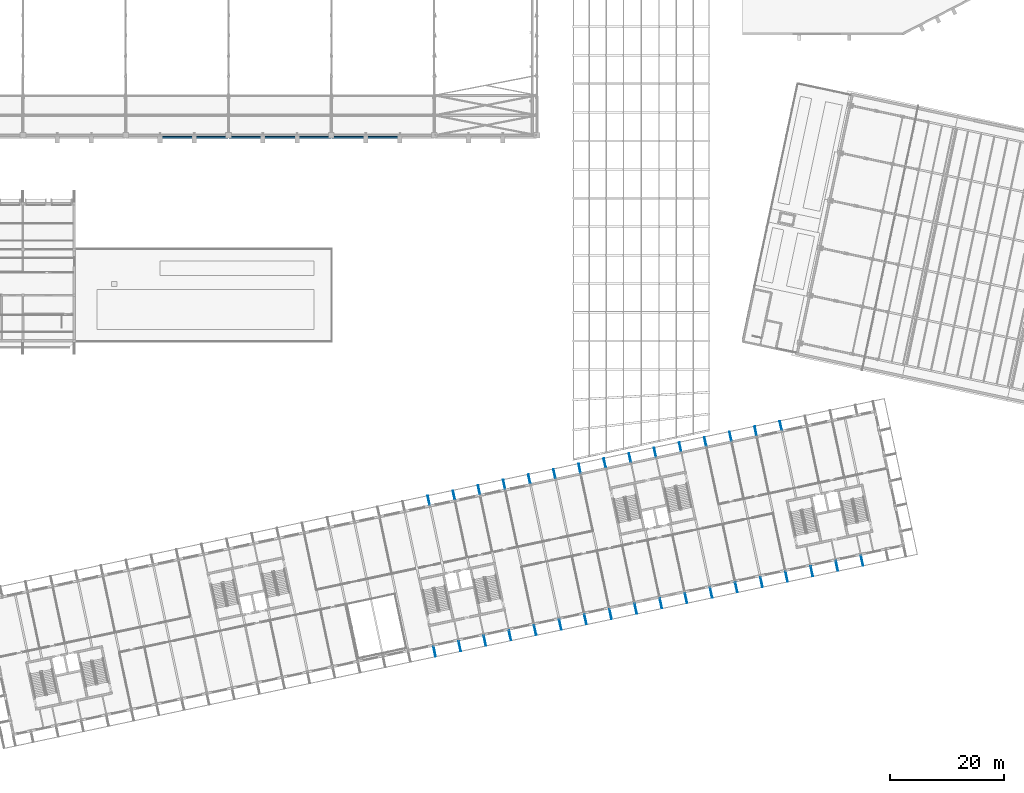
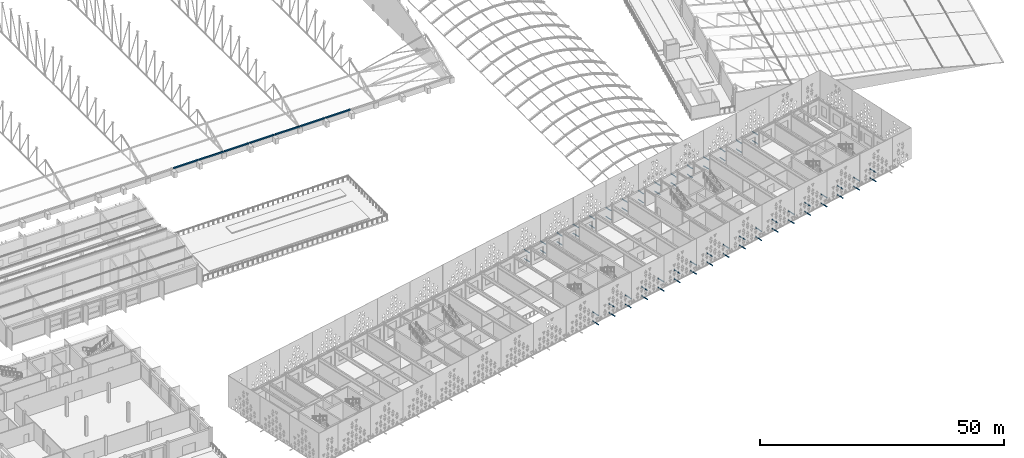
# One storey, part 135 of 196: 73 discrete accessories.
"""IFC4 building model written with IfcOpenShell, lengths in metres."""

from ifc_helpers import new_model, si_unit, direction, frame, origin, origin_2d, place, context, subcontext, project, spatial, rectangle, extrude, material, material_profile, profile_set, type_object, element, save


model = new_model("IFC4")

# Units and contexts
model_context = context("Model", 3, precision=1e-05, world=origin(), true_north=direction((0.0, 1.0)))
body_context = subcontext(model_context, "Body", "Model", "MODEL_VIEW")
ifc_project = project(units=[si_unit("LENGTHUNIT", "METRE"), si_unit("AREAUNIT", "SQUARE_METRE"), si_unit("VOLUMEUNIT", "CUBIC_METRE"), si_unit("PLANEANGLEUNIT", "RADIAN"), si_unit("MASSUNIT", "GRAM", prefix="KILO")], contexts=[model_context])

# Site, building, storey
site_placement = place(None, origin())
site = spatial("IfcSite", under=ifc_project, at=site_placement, CompositionType="ELEMENT")
building_placement = place(site_placement, origin())
building = spatial("IfcBuilding", under=site, at=building_placement, Name="Okhra Congress Centre", CompositionType="ELEMENT")
storey_placement = place(building_placement, frame((0.0, 0.0, 12.0)))
storey = spatial("IfcBuildingStorey", under=building, at=storey_placement, Name="L02", CompositionType="ELEMENT", Elevation=12.0)

# Discrete accessories
ifc_material_1 = material(Name="Stainless steel box gutter with self-regulating heating cable", Category="steel")
discrete_accessory_type_1 = type_object("IfcDiscreteAccessoryType", Name="Heated box gutter 350x300", PredefinedType="USERDEFINED", material=ifc_material_1)
for number, where, z_axis, x_axis, name in (
    (1, (91.0, 131.69189453125, 1.59228515625), (0.0, 0.0, 1.0), (1.0, 0.0, 0.0), "Heated box gutter"),
    (2, (97.0, 131.69189453125, 1.59228515625), (0.0, 0.0, 1.0), (1.0, 0.0, 0.0), "Heated box gutter"),
    (3, (103.0, 131.69189453125, 1.59228515625), (0.0, 0.0, 1.0), (1.0, 0.0, 0.0), "Heated box gutter"),
    (4, (109.0, 131.69189453125, 1.59228515625), (0.0, 0.0, 1.0), (1.0, 0.0, 0.0), "Heated box gutter"),
    (5, (115.0, 131.69189453125, 1.59228515625), (0.0, 0.0, 1.0), (1.0, 0.0, 0.0), "Heated box gutter"),
    (6, (121.0, 131.69189453125, 1.59228515625), (0.0, 0.0, 1.0), (1.0, 0.0, 0.0), "Heated box gutter"),
    (7, (127.0, 131.69189453125, 1.59228515625), (0.0, 0.0, 1.0), (1.0, 0.0, 0.0), "Heated box gutter"),
):
    element("IfcDiscreteAccessory", number, at=place(storey_placement, frame(where, z_axis=z_axis, x_axis=x_axis)), inside=storey, type_object=discrete_accessory_type_1, Name=name, ObjectType="HEATED GUTTER", PredefinedType="USERDEFINED", context=body_context, shape_type="SweptSolid", body=[
        extrude(rectangle(XDim=5.800048828125, YDim=0.35009765625, at=origin_2d()), origin(), (0.0, 0.0, 1.0), 0.300048828125),
    ])
ifc_material_2 = material(Name="Steel S355J2 outrigger, galvanised", Category="steel")
ifc_material_profile = material_profile(ifc_material_2, rectangle(XDim=0.1201171875, YDim=0.1201171875, at=origin_2d()), Name="Screen outrigger bracket 120x120")
ifc_profile_set = profile_set([ifc_material_profile], Name="Steel S355J2 outrigger, galvanised")
discrete_accessory_type_2 = type_object("IfcDiscreteAccessoryType", Name="Screen outrigger bracket 120x120", PredefinedType="BRACKET", material=ifc_profile_set)
for number, where, z_axis, x_axis, name in (
    (8, (135.885009765625, 42.499267578125, 0.81005859375), (0.207913352163, -0.978147247602, 0.0), (0.978147247602, 0.207913352163, 0.0), "Screen outrigger 281"),
    (9, (135.885009765625, 42.499267578125, 3.070068359375), (0.207913352163, -0.978147247602, 0.0), (0.978147247602, 0.207913352163, 0.0), "Screen outrigger 282"),
    (10, (140.28662109375, 43.434814453125, 0.81005859375), (0.207913352163, -0.978147247602, 0.0), (0.978147247602, 0.207913352163, 0.0), "Screen outrigger 299"),
    (11, (140.28662109375, 43.434814453125, 3.070068359375), (0.207913352163, -0.978147247602, 0.0), (0.978147247602, 0.207913352163, 0.0), "Screen outrigger 300"),
):
    element("IfcDiscreteAccessory", number, at=place(storey_placement, frame(where, z_axis=z_axis, x_axis=x_axis)), inside=storey, type_object=discrete_accessory_type_2, Name=name, PredefinedType="BRACKET", context=body_context, shape_type="SweptSolid", body=[
        extrude(rectangle(XDim=0.1201171875, YDim=0.1201171875, at=origin_2d()), origin(), (0.0, 0.0, 1.0), 1.764892578125),
    ])
for number, where, z_axis, x_axis, name in (
    (12, (135.205322265625, 67.3408203125, 0.81005859375), (-0.207952044176, 0.978139022493, 0.0), (-0.978139022493, -0.207952044176, 0.0), "Screen outrigger 308"),
    (13, (135.205322265625, 67.3408203125, 3.070068359375), (-0.207952044176, 0.978139022493, 0.0), (-0.978139022493, -0.207952044176, 0.0), "Screen outrigger 309"),
):
    element("IfcDiscreteAccessory", number, at=place(storey_placement, frame(where, z_axis=z_axis, x_axis=x_axis)), inside=storey, type_object=discrete_accessory_type_2, Name=name, PredefinedType="BRACKET", context=body_context, shape_type="SweptSolid", body=[
        extrude(rectangle(XDim=0.1201171875, YDim=0.1201171875, at=origin_2d()), origin(), (0.0, 0.0, 1.0), 1.56494140625),
    ])
for number, where, z_axis, x_axis, name in (
    (14, (144.688232421875, 44.37060546875, 0.81005859375), (0.208017553693, -0.978125092897, 0.0), (0.978125092897, 0.208017553693, 0.0), "Screen outrigger 317"),
    (15, (144.688232421875, 44.37060546875, 3.070068359375), (0.208017553693, -0.978125092897, 0.0), (0.978125092897, 0.208017553693, 0.0), "Screen outrigger 318"),
):
    element("IfcDiscreteAccessory", number, at=place(storey_placement, frame(where, z_axis=z_axis, x_axis=x_axis)), inside=storey, type_object=discrete_accessory_type_2, Name=name, PredefinedType="BRACKET", context=body_context, shape_type="SweptSolid", body=[
        extrude(rectangle(XDim=0.1201171875, YDim=0.1201171875, at=origin_2d()), origin(), (0.0, 0.0, 1.0), 1.76513671875),
    ])
for number, where, z_axis, x_axis, name in (
    (16, (139.60693359375, 68.2763671875, 0.81005859375), (-0.207952044176, 0.978139022493, 0.0), (-0.978139022493, -0.207952044176, 0.0), "Screen outrigger 327"),
    (17, (139.60693359375, 68.2763671875, 3.070068359375), (-0.207952044176, 0.978139022493, 0.0), (-0.978139022493, -0.207952044176, 0.0), "Screen outrigger 328"),
):
    element("IfcDiscreteAccessory", number, at=place(storey_placement, frame(where, z_axis=z_axis, x_axis=x_axis)), inside=storey, type_object=discrete_accessory_type_2, Name=name, PredefinedType="BRACKET", context=body_context, shape_type="SweptSolid", body=[
        extrude(rectangle(XDim=0.1201171875, YDim=0.1201171875, at=origin_2d()), origin(), (0.0, 0.0, 1.0), 1.56494140625),
    ])
for number, where, z_axis, x_axis, name in (
    (18, (149.090087890625, 45.30615234375, 0.81005859375), (0.207885223274, -0.97815322621, 0.0), (0.97815322621, 0.207885223274, 0.0), "Screen outrigger 336"),
    (19, (149.090087890625, 45.30615234375, 3.070068359375), (0.207885223274, -0.97815322621, 0.0), (0.97815322621, 0.207885223274, 0.0), "Screen outrigger 337"),
):
    element("IfcDiscreteAccessory", number, at=place(storey_placement, frame(where, z_axis=z_axis, x_axis=x_axis)), inside=storey, type_object=discrete_accessory_type_2, Name=name, PredefinedType="BRACKET", context=body_context, shape_type="SweptSolid", body=[
        extrude(rectangle(XDim=0.1201171875, YDim=0.1201171875, at=origin_2d()), origin(), (0.0, 0.0, 1.0), 1.76513671875),
    ])
for number, where, z_axis, x_axis, name in (
    (20, (144.008544921875, 69.2119140625, 0.81005859375), (-0.207771073578, 0.978177479287, 0.0), (-0.978177479287, -0.207771073578, 0.0), "Screen outrigger 346"),
    (21, (144.008544921875, 69.2119140625, 3.070068359375), (-0.207771073578, 0.978177479287, 0.0), (-0.978177479287, -0.207771073578, 0.0), "Screen outrigger 347"),
):
    element("IfcDiscreteAccessory", number, at=place(storey_placement, frame(where, z_axis=z_axis, x_axis=x_axis)), inside=storey, type_object=discrete_accessory_type_2, Name=name, PredefinedType="BRACKET", context=body_context, shape_type="SweptSolid", body=[
        extrude(rectangle(XDim=0.1201171875, YDim=0.1201171875, at=origin_2d()), origin(), (0.0, 0.0, 1.0), 1.565185546875),
    ])
for number, where, z_axis, x_axis, name in (
    (22, (153.49169921875, 46.24169921875, 0.81005859375), (0.207913352163, -0.978147247602, 0.0), (0.978147247602, 0.207913352163, 0.0), "Screen outrigger 355"),
    (23, (153.49169921875, 46.24169921875, 3.070068359375), (0.207913352163, -0.978147247602, 0.0), (0.978147247602, 0.207913352163, 0.0), "Screen outrigger 356"),
):
    element("IfcDiscreteAccessory", number, at=place(storey_placement, frame(where, z_axis=z_axis, x_axis=x_axis)), inside=storey, type_object=discrete_accessory_type_2, Name=name, PredefinedType="BRACKET", context=body_context, shape_type="SweptSolid", body=[
        extrude(rectangle(XDim=0.1201171875, YDim=0.1201171875, at=origin_2d()), origin(), (0.0, 0.0, 1.0), 1.764892578125),
    ])
for number, where, z_axis, x_axis, name in (
    (24, (148.410400390625, 70.147705078125, 0.81005859375), (-0.207952044176, 0.978139022493, 0.0), (-0.978139022493, -0.207952044176, 0.0), "Screen outrigger 365"),
    (25, (148.410400390625, 70.147705078125, 3.070068359375), (-0.207952044176, 0.978139022493, 0.0), (-0.978139022493, -0.207952044176, 0.0), "Screen outrigger 366"),
):
    element("IfcDiscreteAccessory", number, at=place(storey_placement, frame(where, z_axis=z_axis, x_axis=x_axis)), inside=storey, type_object=discrete_accessory_type_2, Name=name, PredefinedType="BRACKET", context=body_context, shape_type="SweptSolid", body=[
        extrude(rectangle(XDim=0.1201171875, YDim=0.1201171875, at=origin_2d()), origin(), (0.0, 0.0, 1.0), 1.56494140625),
    ])
for number, where, z_axis, x_axis, name in (
    (26, (157.893310546875, 47.17724609375, 0.81005859375), (0.207913352163, -0.978147247602, 0.0), (0.978147247602, 0.207913352163, 0.0), "Screen outrigger 374"),
    (27, (157.893310546875, 47.17724609375, 3.070068359375), (0.207913352163, -0.978147247602, 0.0), (0.978147247602, 0.207913352163, 0.0), "Screen outrigger 375"),
):
    element("IfcDiscreteAccessory", number, at=place(storey_placement, frame(where, z_axis=z_axis, x_axis=x_axis)), inside=storey, type_object=discrete_accessory_type_2, Name=name, PredefinedType="BRACKET", context=body_context, shape_type="SweptSolid", body=[
        extrude(rectangle(XDim=0.1201171875, YDim=0.1201171875, at=origin_2d()), origin(), (0.0, 0.0, 1.0), 1.764892578125),
    ])
for number, where, z_axis, x_axis, name in (
    (28, (152.81201171875, 71.083251953125, 0.81005859375), (-0.207952044176, 0.978139022493, 0.0), (-0.978139022493, -0.207952044176, 0.0), "Screen outrigger 384"),
    (29, (152.81201171875, 71.083251953125, 3.070068359375), (-0.207952044176, 0.978139022493, 0.0), (-0.978139022493, -0.207952044176, 0.0), "Screen outrigger 385"),
):
    element("IfcDiscreteAccessory", number, at=place(storey_placement, frame(where, z_axis=z_axis, x_axis=x_axis)), inside=storey, type_object=discrete_accessory_type_2, Name=name, PredefinedType="BRACKET", context=body_context, shape_type="SweptSolid", body=[
        extrude(rectangle(XDim=0.1201171875, YDim=0.1201171875, at=origin_2d()), origin(), (0.0, 0.0, 1.0), 1.56494140625),
    ])
for number, where, z_axis, x_axis, name in (
    (30, (162.294921875, 48.11279296875, 0.81005859375), (0.207913352163, -0.978147247602, 0.0), (0.978147247602, 0.207913352163, 0.0), "Screen outrigger 393"),
    (31, (162.294921875, 48.11279296875, 3.070068359375), (0.207913352163, -0.978147247602, 0.0), (0.978147247602, 0.207913352163, 0.0), "Screen outrigger 394"),
):
    element("IfcDiscreteAccessory", number, at=place(storey_placement, frame(where, z_axis=z_axis, x_axis=x_axis)), inside=storey, type_object=discrete_accessory_type_2, Name=name, PredefinedType="BRACKET", context=body_context, shape_type="SweptSolid", body=[
        extrude(rectangle(XDim=0.1201171875, YDim=0.1201171875, at=origin_2d()), origin(), (0.0, 0.0, 1.0), 1.764892578125),
    ])
for number, where, z_axis, x_axis, name in (
    (32, (157.213623046875, 72.018798828125, 0.81005859375), (-0.207952044176, 0.978139022493, 0.0), (-0.978139022493, -0.207952044176, 0.0), "Screen outrigger 403"),
    (33, (157.213623046875, 72.018798828125, 3.070068359375), (-0.207952044176, 0.978139022493, 0.0), (-0.978139022493, -0.207952044176, 0.0), "Screen outrigger 404"),
):
    element("IfcDiscreteAccessory", number, at=place(storey_placement, frame(where, z_axis=z_axis, x_axis=x_axis)), inside=storey, type_object=discrete_accessory_type_2, Name=name, PredefinedType="BRACKET", context=body_context, shape_type="SweptSolid", body=[
        extrude(rectangle(XDim=0.1201171875, YDim=0.1201171875, at=origin_2d()), origin(), (0.0, 0.0, 1.0), 1.56494140625),
    ])
for number, where, z_axis, x_axis, name in (
    (34, (166.69677734375, 49.048583984375, 0.81005859375), (0.207885223274, -0.97815322621, 0.0), (0.97815322621, 0.207885223274, 0.0), "Screen outrigger 412"),
    (35, (166.69677734375, 49.048583984375, 3.070068359375), (0.207885223274, -0.97815322621, 0.0), (0.97815322621, 0.207885223274, 0.0), "Screen outrigger 413"),
):
    element("IfcDiscreteAccessory", number, at=place(storey_placement, frame(where, z_axis=z_axis, x_axis=x_axis)), inside=storey, type_object=discrete_accessory_type_2, Name=name, PredefinedType="BRACKET", context=body_context, shape_type="SweptSolid", body=[
        extrude(rectangle(XDim=0.1201171875, YDim=0.1201171875, at=origin_2d()), origin(), (0.0, 0.0, 1.0), 1.76513671875),
    ])
for number, where, z_axis, x_axis, name in (
    (36, (161.615234375, 72.954345703125, 0.81005859375), (-0.207771073578, 0.978177479287, 0.0), (-0.978177479287, -0.207771073578, 0.0), "Screen outrigger 422"),
    (37, (161.615234375, 72.954345703125, 3.070068359375), (-0.207771073578, 0.978177479287, 0.0), (-0.978177479287, -0.207771073578, 0.0), "Screen outrigger 423"),
):
    element("IfcDiscreteAccessory", number, at=place(storey_placement, frame(where, z_axis=z_axis, x_axis=x_axis)), inside=storey, type_object=discrete_accessory_type_2, Name=name, PredefinedType="BRACKET", context=body_context, shape_type="SweptSolid", body=[
        extrude(rectangle(XDim=0.1201171875, YDim=0.1201171875, at=origin_2d()), origin(), (0.0, 0.0, 1.0), 1.565185546875),
    ])
for number, where, z_axis, x_axis, name in (
    (38, (171.098388671875, 49.984130859375, 0.81005859375), (0.207885223274, -0.97815322621, 0.0), (0.97815322621, 0.207885223274, 0.0), "Screen outrigger 431"),
    (39, (171.098388671875, 49.984130859375, 3.070068359375), (0.207885223274, -0.97815322621, 0.0), (0.97815322621, 0.207885223274, 0.0), "Screen outrigger 432"),
):
    element("IfcDiscreteAccessory", number, at=place(storey_placement, frame(where, z_axis=z_axis, x_axis=x_axis)), inside=storey, type_object=discrete_accessory_type_2, Name=name, PredefinedType="BRACKET", context=body_context, shape_type="SweptSolid", body=[
        extrude(rectangle(XDim=0.1201171875, YDim=0.1201171875, at=origin_2d()), origin(), (0.0, 0.0, 1.0), 1.76513671875),
    ])
for number, where, z_axis, x_axis, name in (
    (40, (166.01708984375, 73.89013671875, 0.81005859375), (-0.207952044176, 0.978139022493, 0.0), (-0.978139022493, -0.207952044176, 0.0), "Screen outrigger 441"),
    (41, (166.01708984375, 73.89013671875, 3.070068359375), (-0.207952044176, 0.978139022493, 0.0), (-0.978139022493, -0.207952044176, 0.0), "Screen outrigger 442"),
):
    element("IfcDiscreteAccessory", number, at=place(storey_placement, frame(where, z_axis=z_axis, x_axis=x_axis)), inside=storey, type_object=discrete_accessory_type_2, Name=name, PredefinedType="BRACKET", context=body_context, shape_type="SweptSolid", body=[
        extrude(rectangle(XDim=0.1201171875, YDim=0.1201171875, at=origin_2d()), origin(), (0.0, 0.0, 1.0), 1.56494140625),
    ])
for number, where, z_axis, x_axis, name in (
    (42, (175.5, 50.919677734375, 0.81005859375), (0.207913352163, -0.978147247602, 0.0), (0.978147247602, 0.207913352163, 0.0), "Screen outrigger 451"),
    (43, (175.5, 50.919677734375, 3.070068359375), (0.207913352163, -0.978147247602, 0.0), (0.978147247602, 0.207913352163, 0.0), "Screen outrigger 452"),
):
    element("IfcDiscreteAccessory", number, at=place(storey_placement, frame(where, z_axis=z_axis, x_axis=x_axis)), inside=storey, type_object=discrete_accessory_type_2, Name=name, PredefinedType="BRACKET", context=body_context, shape_type="SweptSolid", body=[
        extrude(rectangle(XDim=0.1201171875, YDim=0.1201171875, at=origin_2d()), origin(), (0.0, 0.0, 1.0), 1.764892578125),
    ])
for number, where, z_axis, x_axis, name in (
    (44, (170.418701171875, 74.82568359375, 0.81005859375), (-0.207952044176, 0.978139022493, 0.0), (-0.978139022493, -0.207952044176, 0.0), "Screen outrigger 461"),
    (45, (170.418701171875, 74.82568359375, 3.070068359375), (-0.207952044176, 0.978139022493, 0.0), (-0.978139022493, -0.207952044176, 0.0), "Screen outrigger 462"),
):
    element("IfcDiscreteAccessory", number, at=place(storey_placement, frame(where, z_axis=z_axis, x_axis=x_axis)), inside=storey, type_object=discrete_accessory_type_2, Name=name, PredefinedType="BRACKET", context=body_context, shape_type="SweptSolid", body=[
        extrude(rectangle(XDim=0.1201171875, YDim=0.1201171875, at=origin_2d()), origin(), (0.0, 0.0, 1.0), 1.56494140625),
    ])
for number, where, z_axis, x_axis, name in (
    (46, (179.901611328125, 51.855224609375, 0.81005859375), (0.207913352163, -0.978147247602, 0.0), (0.978147247602, 0.207913352163, 0.0), "Screen outrigger 471"),
    (47, (179.901611328125, 51.855224609375, 3.070068359375), (0.207913352163, -0.978147247602, 0.0), (0.978147247602, 0.207913352163, 0.0), "Screen outrigger 472"),
):
    element("IfcDiscreteAccessory", number, at=place(storey_placement, frame(where, z_axis=z_axis, x_axis=x_axis)), inside=storey, type_object=discrete_accessory_type_2, Name=name, PredefinedType="BRACKET", context=body_context, shape_type="SweptSolid", body=[
        extrude(rectangle(XDim=0.1201171875, YDim=0.1201171875, at=origin_2d()), origin(), (0.0, 0.0, 1.0), 1.764892578125),
    ])
for number, where, z_axis, x_axis, name in (
    (48, (174.8203125, 75.76123046875, 0.81005859375), (-0.207952044176, 0.978139022493, 0.0), (-0.978139022493, -0.207952044176, 0.0), "Screen outrigger 481"),
    (49, (174.8203125, 75.76123046875, 3.070068359375), (-0.207952044176, 0.978139022493, 0.0), (-0.978139022493, -0.207952044176, 0.0), "Screen outrigger 482"),
):
    element("IfcDiscreteAccessory", number, at=place(storey_placement, frame(where, z_axis=z_axis, x_axis=x_axis)), inside=storey, type_object=discrete_accessory_type_2, Name=name, PredefinedType="BRACKET", context=body_context, shape_type="SweptSolid", body=[
        extrude(rectangle(XDim=0.1201171875, YDim=0.1201171875, at=origin_2d()), origin(), (0.0, 0.0, 1.0), 1.56494140625),
    ])
for number, where, z_axis, x_axis, name in (
    (50, (184.30322265625, 52.791015625, 0.81005859375), (0.208017553693, -0.978125092897, 0.0), (0.978125092897, 0.208017553693, 0.0), "Screen outrigger 491"),
    (51, (184.30322265625, 52.791015625, 3.070068359375), (0.208017553693, -0.978125092897, 0.0), (0.978125092897, 0.208017553693, 0.0), "Screen outrigger 492"),
):
    element("IfcDiscreteAccessory", number, at=place(storey_placement, frame(where, z_axis=z_axis, x_axis=x_axis)), inside=storey, type_object=discrete_accessory_type_2, Name=name, PredefinedType="BRACKET", context=body_context, shape_type="SweptSolid", body=[
        extrude(rectangle(XDim=0.1201171875, YDim=0.1201171875, at=origin_2d()), origin(), (0.0, 0.0, 1.0), 1.76513671875),
    ])
for number, where, z_axis, x_axis, name in (
    (52, (179.221923828125, 76.69677734375, 0.81005859375), (-0.207952044176, 0.978139022493, 0.0), (-0.978139022493, -0.207952044176, 0.0), "Screen outrigger 502"),
    (53, (179.221923828125, 76.69677734375, 3.070068359375), (-0.207952044176, 0.978139022493, 0.0), (-0.978139022493, -0.207952044176, 0.0), "Screen outrigger 503"),
):
    element("IfcDiscreteAccessory", number, at=place(storey_placement, frame(where, z_axis=z_axis, x_axis=x_axis)), inside=storey, type_object=discrete_accessory_type_2, Name=name, PredefinedType="BRACKET", context=body_context, shape_type="SweptSolid", body=[
        extrude(rectangle(XDim=0.1201171875, YDim=0.1201171875, at=origin_2d()), origin(), (0.0, 0.0, 1.0), 1.56494140625),
    ])
for number, where, z_axis, x_axis, name in (
    (54, (188.705078125, 53.7265625, 0.81005859375), (0.207885223274, -0.97815322621, 0.0), (0.97815322621, 0.207885223274, 0.0), "Screen outrigger 512"),
    (55, (188.705078125, 53.7265625, 3.070068359375), (0.207885223274, -0.97815322621, 0.0), (0.97815322621, 0.207885223274, 0.0), "Screen outrigger 513"),
):
    element("IfcDiscreteAccessory", number, at=place(storey_placement, frame(where, z_axis=z_axis, x_axis=x_axis)), inside=storey, type_object=discrete_accessory_type_2, Name=name, PredefinedType="BRACKET", context=body_context, shape_type="SweptSolid", body=[
        extrude(rectangle(XDim=0.1201171875, YDim=0.1201171875, at=origin_2d()), origin(), (0.0, 0.0, 1.0), 1.76513671875),
    ])
for number, where, z_axis, x_axis, name in (
    (56, (183.62353515625, 77.632568359375, 0.81005859375), (-0.207802780084, 0.978170744088, 0.0), (-0.978170744088, -0.207802780084, 0.0), "Screen outrigger 523"),
    (57, (183.62353515625, 77.632568359375, 3.070068359375), (-0.207802780084, 0.978170744088, 0.0), (-0.978170744088, -0.207802780084, 0.0), "Screen outrigger 524"),
):
    element("IfcDiscreteAccessory", number, at=place(storey_placement, frame(where, z_axis=z_axis, x_axis=x_axis)), inside=storey, type_object=discrete_accessory_type_2, Name=name, PredefinedType="BRACKET", context=body_context, shape_type="SweptSolid", body=[
        extrude(rectangle(XDim=0.1201171875, YDim=0.1201171875, at=origin_2d()), origin(), (0.0, 0.0, 1.0), 1.56494140625),
    ])
for number, where, z_axis, x_axis, name in (
    (58, (193.106689453125, 54.662109375, 0.81005859375), (0.207913352163, -0.978147247602, 0.0), (0.978147247602, 0.207913352163, 0.0), "Screen outrigger 533"),
    (59, (193.106689453125, 54.662109375, 3.070068359375), (0.207913352163, -0.978147247602, 0.0), (0.978147247602, 0.207913352163, 0.0), "Screen outrigger 534"),
):
    element("IfcDiscreteAccessory", number, at=place(storey_placement, frame(where, z_axis=z_axis, x_axis=x_axis)), inside=storey, type_object=discrete_accessory_type_2, Name=name, PredefinedType="BRACKET", context=body_context, shape_type="SweptSolid", body=[
        extrude(rectangle(XDim=0.1201171875, YDim=0.1201171875, at=origin_2d()), origin(), (0.0, 0.0, 1.0), 1.764892578125),
    ])
for number, where, z_axis, x_axis, name in (
    (60, (188.025390625, 78.568115234375, 0.81005859375), (-0.207952044176, 0.978139022493, 0.0), (-0.978139022493, -0.207952044176, 0.0), "Screen outrigger 544"),
    (61, (188.025390625, 78.568115234375, 3.070068359375), (-0.207952044176, 0.978139022493, 0.0), (-0.978139022493, -0.207952044176, 0.0), "Screen outrigger 545"),
):
    element("IfcDiscreteAccessory", number, at=place(storey_placement, frame(where, z_axis=z_axis, x_axis=x_axis)), inside=storey, type_object=discrete_accessory_type_2, Name=name, PredefinedType="BRACKET", context=body_context, shape_type="SweptSolid", body=[
        extrude(rectangle(XDim=0.1201171875, YDim=0.1201171875, at=origin_2d()), origin(), (0.0, 0.0, 1.0), 1.56494140625),
    ])
for number, where, z_axis, x_axis, name in (
    (62, (197.50830078125, 55.59765625, 0.81005859375), (0.207913352163, -0.978147247602, 0.0), (0.978147247602, 0.207913352163, 0.0), "Screen outrigger 554"),
    (63, (197.50830078125, 55.59765625, 3.070068359375), (0.207913352163, -0.978147247602, 0.0), (0.978147247602, 0.207913352163, 0.0), "Screen outrigger 555"),
):
    element("IfcDiscreteAccessory", number, at=place(storey_placement, frame(where, z_axis=z_axis, x_axis=x_axis)), inside=storey, type_object=discrete_accessory_type_2, Name=name, PredefinedType="BRACKET", context=body_context, shape_type="SweptSolid", body=[
        extrude(rectangle(XDim=0.1201171875, YDim=0.1201171875, at=origin_2d()), origin(), (0.0, 0.0, 1.0), 1.764892578125),
    ])
for number, where, z_axis, x_axis, name in (
    (64, (192.427001953125, 79.503662109375, 0.81005859375), (-0.207952044176, 0.978139022493, 0.0), (-0.978139022493, -0.207952044176, 0.0), "Screen outrigger 565"),
    (65, (192.427001953125, 79.503662109375, 3.070068359375), (-0.207952044176, 0.978139022493, 0.0), (-0.978139022493, -0.207952044176, 0.0), "Screen outrigger 566"),
):
    element("IfcDiscreteAccessory", number, at=place(storey_placement, frame(where, z_axis=z_axis, x_axis=x_axis)), inside=storey, type_object=discrete_accessory_type_2, Name=name, PredefinedType="BRACKET", context=body_context, shape_type="SweptSolid", body=[
        extrude(rectangle(XDim=0.1201171875, YDim=0.1201171875, at=origin_2d()), origin(), (0.0, 0.0, 1.0), 1.56494140625),
    ])
for number, where, z_axis, x_axis, name in (
    (66, (201.909912109375, 56.533447265625, 0.81005859375), (0.207885223274, -0.97815322621, 0.0), (0.97815322621, 0.207885223274, 0.0), "Screen outrigger 575"),
    (67, (201.909912109375, 56.533447265625, 3.070068359375), (0.207885223274, -0.97815322621, 0.0), (0.97815322621, 0.207885223274, 0.0), "Screen outrigger 576"),
):
    element("IfcDiscreteAccessory", number, at=place(storey_placement, frame(where, z_axis=z_axis, x_axis=x_axis)), inside=storey, type_object=discrete_accessory_type_2, Name=name, PredefinedType="BRACKET", context=body_context, shape_type="SweptSolid", body=[
        extrude(rectangle(XDim=0.1201171875, YDim=0.1201171875, at=origin_2d()), origin(), (0.0, 0.0, 1.0), 1.76513671875),
    ])
for number, where, z_axis, x_axis, name in (
    (68, (196.82861328125, 80.439208984375, 0.81005859375), (-0.207952044176, 0.978139022493, 0.0), (-0.978139022493, -0.207952044176, 0.0), "Screen outrigger 586"),
    (69, (196.82861328125, 80.439208984375, 3.070068359375), (-0.207952044176, 0.978139022493, 0.0), (-0.978139022493, -0.207952044176, 0.0), "Screen outrigger 587"),
):
    element("IfcDiscreteAccessory", number, at=place(storey_placement, frame(where, z_axis=z_axis, x_axis=x_axis)), inside=storey, type_object=discrete_accessory_type_2, Name=name, PredefinedType="BRACKET", context=body_context, shape_type="SweptSolid", body=[
        extrude(rectangle(XDim=0.1201171875, YDim=0.1201171875, at=origin_2d()), origin(), (0.0, 0.0, 1.0), 1.56494140625),
    ])
for number, where, z_axis, x_axis, name in (
    (70, (206.311767578125, 57.468994140625, 0.81005859375), (0.207885223274, -0.97815322621, 0.0), (0.97815322621, 0.207885223274, 0.0), "Screen outrigger 596"),
    (71, (206.311767578125, 57.468994140625, 3.070068359375), (0.207885223274, -0.97815322621, 0.0), (0.97815322621, 0.207885223274, 0.0), "Screen outrigger 597"),
):
    element("IfcDiscreteAccessory", number, at=place(storey_placement, frame(where, z_axis=z_axis, x_axis=x_axis)), inside=storey, type_object=discrete_accessory_type_2, Name=name, PredefinedType="BRACKET", context=body_context, shape_type="SweptSolid", body=[
        extrude(rectangle(XDim=0.1201171875, YDim=0.1201171875, at=origin_2d()), origin(), (0.0, 0.0, 1.0), 1.76513671875),
    ])
for number, where, z_axis, x_axis, name in (
    (72, (210.71337890625, 58.404541015625, 0.81005859375), (0.207913352163, -0.978147247602, 0.0), (0.978147247602, 0.207913352163, 0.0), "Screen outrigger 618"),
    (73, (210.71337890625, 58.404541015625, 3.070068359375), (0.207913352163, -0.978147247602, 0.0), (0.978147247602, 0.207913352163, 0.0), "Screen outrigger 619"),
):
    element("IfcDiscreteAccessory", number, at=place(storey_placement, frame(where, z_axis=z_axis, x_axis=x_axis)), inside=storey, type_object=discrete_accessory_type_2, Name=name, PredefinedType="BRACKET", context=body_context, shape_type="SweptSolid", body=[
        extrude(rectangle(XDim=0.1201171875, YDim=0.1201171875, at=origin_2d()), origin(), (0.0, 0.0, 1.0), 1.764892578125),
    ])

save(model, "model.ifc")
